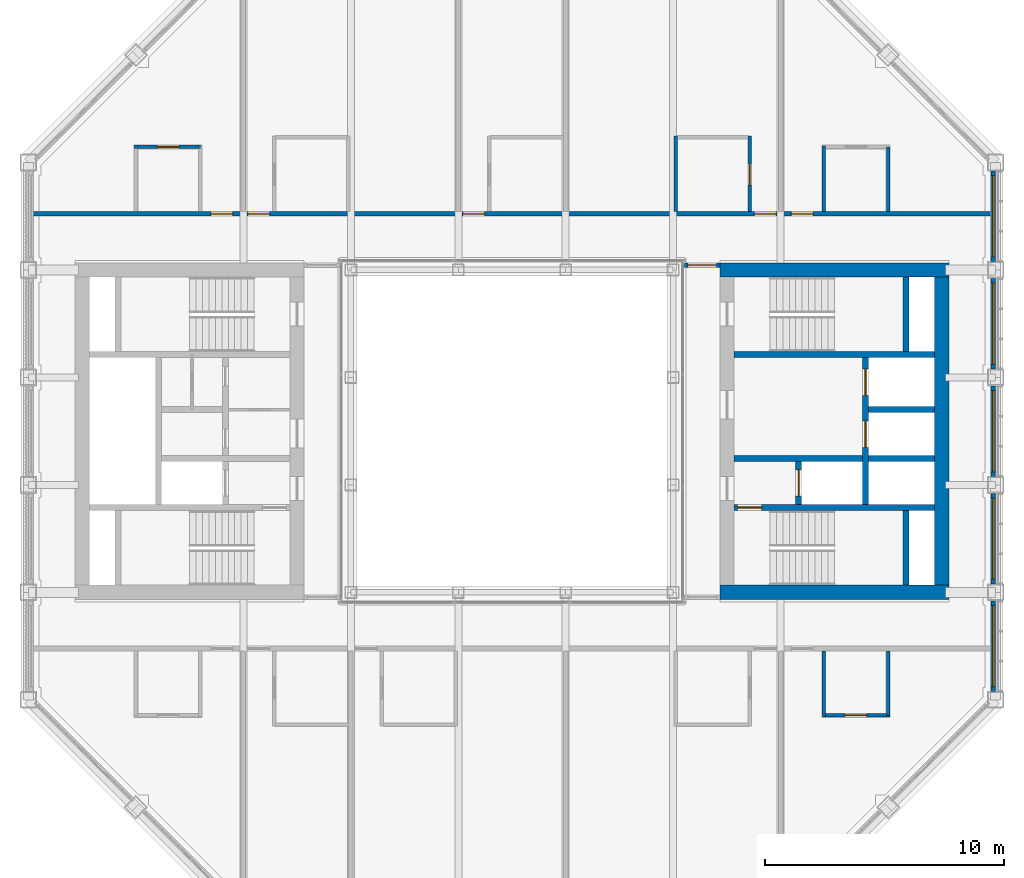
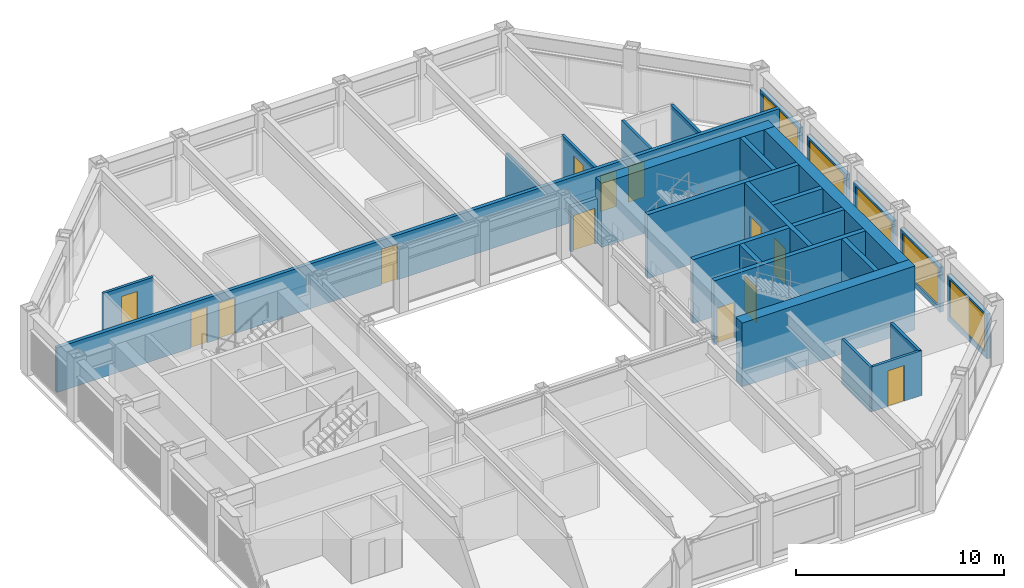
# One storey, part 11 of 16: 27 walls, 13 doors, 5 windows, 18 openings.
"""IFC4 building model written with IfcOpenShell, lengths in metres."""

from ifc_helpers import new_model, si_unit, direction, frame, frame_2d, origin, place, context, subcontext, project, spatial, rectangle, extrude, material, layer, layer_set, type_object, element, fill, save


model = new_model("IFC4")

# Units and contexts
model_context = context("Model", 3, precision=1e-05, world=origin(), true_north=direction((0.0, 1.0)))
body_context = subcontext(model_context, "Body", "Model", "MODEL_VIEW")
ifc_project = project(units=[si_unit("LENGTHUNIT", "METRE"), si_unit("AREAUNIT", "SQUARE_METRE"), si_unit("VOLUMEUNIT", "CUBIC_METRE"), si_unit("PLANEANGLEUNIT", "RADIAN"), si_unit("MASSUNIT", "GRAM", prefix="KILO")], contexts=[model_context])

# Site, building, storey
site_placement = place(None, origin())
site = spatial("IfcSite", under=ifc_project, at=site_placement, CompositionType="ELEMENT")
building_placement = place(site_placement, origin())
building = spatial("IfcBuilding", under=site, at=building_placement, Name="Msasa Ring Tower", CompositionType="ELEMENT")
storey_placement = place(building_placement, frame((0.0, 0.0, 219.550048828125)))
storey = spatial("IfcBuildingStorey", under=building, at=storey_placement, Name="L57", CompositionType="ELEMENT", Elevation=219.550048828125)

# Walls
ifc_material_1 = material(Name="Concrete C60/75", Category="concrete")
ifc_layer_1 = layer(ifc_material_1, 0.60009765625)
ifc_layer_set_1 = layer_set([ifc_layer_1], Name="CW3 CORE WALL 600")
wall_type_1 = type_object("IfcWallType", Name="CW3 CORE WALL 600", PredefinedType="SHEAR", material=ifc_layer_set_1)
for number, where, z_axis, x_axis, name in (
    (1, (8.699951171875, -6.75, 0.0), (0.0, 0.0, 1.0), (1.0, 0.0, 0.0), "E core wall S L57"),
    (2, (8.699951171875, 6.75, 0.0), (0.0, 0.0, 1.0), (1.0, 0.0, 0.0), "E core wall N L57"),
):
    element("IfcWall", number, at=place(storey_placement, frame(where, z_axis=z_axis, x_axis=x_axis)), inside=storey, type_object=wall_type_1, Name=name, PredefinedType="SHEAR", context=body_context, shape_type="SweptSolid", body=[
        extrude(rectangle(XDim=9.60009765625, YDim=0.60009765625, at=frame_2d((4.800048828125, 0.0))), origin(), (0.0, 0.0, 1.0), 3.75),
    ])
wall_1_placement = place(storey_placement, frame((18.0, -6.449951171875, 0.0), z_axis=(0.0, 0.0, 1.0), x_axis=(0.0, 1.0, 0.0)))
element("IfcWall", 3, at=wall_1_placement, inside=storey, type_object=wall_type_1, Name="E core wall E L57", PredefinedType="SHEAR", context=body_context, shape_type="SweptSolid", body=[
    extrude(rectangle(XDim=12.89990234375, YDim=0.60009765625, at=frame_2d((6.449951171875, 0.0))), origin(), (0.0, 0.0, 1.0), 3.75),
])

# Wall, opening, door
ifc_material_2 = material(Name="Concrete C60/75", Category="concrete")
ifc_layer_2 = layer(ifc_material_2, 0.25)
ifc_layer_set_2 = layer_set([ifc_layer_2], Name="CW4 CORE INNER WALL 250")
wall_type_2 = type_object("IfcWallType", Name="CW4 CORE INNER WALL 250", PredefinedType="SHEAR", material=ifc_layer_set_2)
wall_2_placement = place(storey_placement, frame((9.300048828125, -3.199951171875, 0.0), z_axis=(0.0, 0.0, 1.0), x_axis=(1.0, 0.0, 0.0)))
wall_2 = element("IfcWall", 4, at=wall_2_placement, inside=storey, type_object=wall_type_2, Name="E core wall STAIRA L57", PredefinedType="SHEAR", context=body_context, shape_type="SweptSolid", body=[
    extrude(rectangle(XDim=8.39990234375, YDim=0.25, at=frame_2d((4.199951171875, 0.0))), origin(), (0.0, 0.0, 1.0), 3.75),
])
opening_1_placement = place(wall_2_placement, frame((0.14990234375, 0.0, 0.0)))
opening_1 = element("IfcOpeningElement", 5, at=opening_1_placement, cuts=wall_2, Name="Opening SB-024", PredefinedType="OPENING", context=body_context, shape_type="SweptSolid", body=[
    extrude(rectangle(XDim=1.0, YDim=2.10009765625, at=frame_2d((0.5, 1.050048828125))), frame((0.0, 0.135009765625, 0.0), z_axis=(0.0, -1.0, 0.0), x_axis=(1.0, 0.0, 0.0)), (0.0, 0.0, 1.0), 0.27001953125),
])
ifc_material_3 = material(Name="Timber door leaf in a steel frame", Category="steel")
door_type_1 = type_object("IfcDoorType", Name="D6 STAIR DOOR 1000x2100", OperationType="SINGLE_SWING_LEFT", PredefinedType="DOOR", material=ifc_material_3)
door_1_placement = place(opening_1_placement, origin())
door_1 = element("IfcDoor", 6, at=door_1_placement, inside=storey, type_object=door_type_1, Name="Door L57-ESTA", OperationType="SINGLE_SWING_LEFT", OverallHeight=2.10009765625, OverallWidth=1.0, PredefinedType="DOOR", context=body_context, shape_type="SweptSolid", body=[
    extrude(rectangle(XDim=1.0, YDim=2.10009765625, at=frame_2d((0.5, 1.050048828125))), frame((0.0, 0.02490234375, 0.0), z_axis=(0.0, -1.0, 0.0), x_axis=(1.0, 0.0, 0.0)), (0.0, 0.0, 1.0), 0.050048828125),
])
fill(opening_1, door_1)

# Walls
wall_3_placement = place(storey_placement, frame((9.300048828125, 3.199951171875, 0.0), z_axis=(0.0, 0.0, 1.0), x_axis=(1.0, 0.0, 0.0)))
element("IfcWall", 7, at=wall_3_placement, inside=storey, type_object=wall_type_2, Name="E core wall STAIRB L57", PredefinedType="SHEAR", context=body_context, shape_type="SweptSolid", body=[
    extrude(rectangle(XDim=8.39990234375, YDim=0.25, at=frame_2d((4.199951171875, 0.0))), origin(), (0.0, 0.0, 1.0), 3.75),
])
for number, where, z_axis, x_axis, name in (
    (8, (16.5, -6.449951171875, 0.0), (0.0, 0.0, 1.0), (0.0, 1.0, 0.0), "E core wall RISERA L57"),
    (9, (16.5, 3.324951171875, 0.0), (0.0, 0.0, 1.0), (0.0, 1.0, 0.0), "E core wall RISERB L57"),
):
    element("IfcWall", number, at=place(storey_placement, frame(where, z_axis=z_axis, x_axis=x_axis)), inside=storey, type_object=wall_type_2, Name=name, PredefinedType="SHEAR", context=body_context, shape_type="SweptSolid", body=[
        extrude(rectangle(XDim=3.125, YDim=0.25, at=frame_2d((1.5625, 0.0))), origin(), (0.0, 0.0, 1.0), 3.75),
    ])
wall_4_placement = place(storey_placement, frame((9.300048828125, -1.14990234375, 0.0), z_axis=(0.0, 0.0, 1.0), x_axis=(1.0, 0.0, 0.0)))
element("IfcWall", 10, at=wall_4_placement, inside=storey, type_object=wall_type_2, Name="E core wall FFL L57", PredefinedType="SHEAR", context=body_context, shape_type="SweptSolid", body=[
    extrude(rectangle(XDim=5.375, YDim=0.25, at=frame_2d((2.6875, 0.0))), origin(), (0.0, 0.0, 1.0), 3.75),
])

# Wall, opening, door
wall_5_placement = place(storey_placement, frame((12.0, -3.074951171875, 0.0), z_axis=(0.0, 0.0, 1.0), x_axis=(0.0, 1.0, 0.0)))
wall_5 = element("IfcWall", 11, at=wall_5_placement, inside=storey, type_object=wall_type_2, Name="E core wall LOBBY L57", PredefinedType="SHEAR", context=body_context, shape_type="SweptSolid", body=[
    extrude(rectangle(XDim=1.800048828125, YDim=0.25, at=frame_2d((0.89990234375, 0.0))), origin(), (0.0, 0.0, 1.0), 3.75),
])
opening_2_placement = place(wall_5_placement, frame((0.35009765625, 0.0, 0.0)))
opening_2 = element("IfcOpeningElement", 12, at=opening_2_placement, cuts=wall_5, Name="Opening LD1", PredefinedType="OPENING", context=body_context, shape_type="SweptSolid", body=[
    extrude(rectangle(XDim=1.10009765625, YDim=2.10009765625, at=frame_2d((0.550048828125, 1.050048828125))), frame((0.0, 0.135009765625, 0.0), z_axis=(0.0, -1.0, 0.0), x_axis=(1.0, 0.0, 0.0)), (0.0, 0.0, 1.0), 0.27001953125),
])
ifc_material_4 = material(Name="Stainless steel lift landing door", Category="steel")
door_type_2 = type_object("IfcDoorType", Name="LD1 LIFT LANDING DOOR 1100x2100", OperationType="DOUBLE_DOOR_SLIDING", PredefinedType="DOOR", material=ifc_material_4)
door_2_placement = place(opening_2_placement, origin())
door_2 = element("IfcDoor", 13, at=door_2_placement, inside=storey, type_object=door_type_2, Name="Lift landing door FL-E L57", OperationType="DOUBLE_DOOR_SLIDING", OverallHeight=2.10009765625, OverallWidth=1.10009765625, PredefinedType="DOOR", context=body_context, shape_type="SweptSolid", body=[
    extrude(rectangle(XDim=1.10009765625, YDim=2.10009765625, at=frame_2d((0.550048828125, 1.050048828125))), frame((0.0, 0.02490234375, 0.0), z_axis=(0.0, -1.0, 0.0), x_axis=(1.0, 0.0, 0.0)), (0.0, 0.0, 1.0), 0.050048828125),
])
fill(opening_2, door_2)

# Wall, openings, doors
wall_6_placement = place(storey_placement, frame((14.800048828125, -3.074951171875, 0.0), z_axis=(0.0, 0.0, 1.0), x_axis=(0.0, 1.0, 0.0)))
wall_6 = element("IfcWall", 14, at=wall_6_placement, inside=storey, type_object=wall_type_2, Name="E core wall SHAFT L57", PredefinedType="SHEAR", context=body_context, shape_type="SweptSolid", body=[
    extrude(rectangle(XDim=6.14990234375, YDim=0.25, at=frame_2d((3.074951171875, 0.0))), origin(), (0.0, 0.0, 1.0), 3.75),
])
opening_3_placement = place(wall_6_placement, frame((2.39990234375, 0.0, 0.0)))
opening_3 = element("IfcOpeningElement", 15, at=opening_3_placement, cuts=wall_6, Name="Opening LD1", PredefinedType="OPENING", context=body_context, shape_type="SweptSolid", body=[
    extrude(rectangle(XDim=1.10009765625, YDim=2.10009765625, at=frame_2d((0.550048828125, 1.050048828125))), frame((0.0, 0.135009765625, 0.0), z_axis=(0.0, -1.0, 0.0), x_axis=(1.0, 0.0, 0.0)), (0.0, 0.0, 1.0), 0.27001953125),
])
opening_4_placement = place(wall_6_placement, frame((4.574951171875, 0.0, 0.0)))
opening_4 = element("IfcOpeningElement", 16, at=opening_4_placement, cuts=wall_6, Name="Opening LD1", PredefinedType="OPENING", context=body_context, shape_type="SweptSolid", body=[
    extrude(rectangle(XDim=1.10009765625, YDim=2.10009765625, at=frame_2d((0.550048828125, 1.050048828125))), frame((0.0, 0.135009765625, 0.0), z_axis=(0.0, -1.0, 0.0), x_axis=(1.0, 0.0, 0.0)), (0.0, 0.0, 1.0), 0.27001953125),
])
door_3_placement = place(opening_3_placement, origin())
door_3 = element("IfcDoor", 17, at=door_3_placement, inside=storey, type_object=door_type_2, Name="Lift landing door PL-H1 L57", OperationType="DOUBLE_DOOR_SLIDING", OverallHeight=2.10009765625, OverallWidth=1.10009765625, PredefinedType="DOOR", context=body_context, shape_type="SweptSolid", body=[
    extrude(rectangle(XDim=1.10009765625, YDim=2.10009765625, at=frame_2d((0.550048828125, 1.050048828125))), frame((0.0, 0.02490234375, 0.0), z_axis=(0.0, -1.0, 0.0), x_axis=(1.0, 0.0, 0.0)), (0.0, 0.0, 1.0), 0.050048828125),
])
fill(opening_3, door_3)
door_4_placement = place(opening_4_placement, origin())
door_4 = element("IfcDoor", 18, at=door_4_placement, inside=storey, type_object=door_type_2, Name="Lift landing door PL-H2 L57", OperationType="DOUBLE_DOOR_SLIDING", OverallHeight=2.10009765625, OverallWidth=1.10009765625, PredefinedType="DOOR", context=body_context, shape_type="SweptSolid", body=[
    extrude(rectangle(XDim=1.10009765625, YDim=2.10009765625, at=frame_2d((0.550048828125, 1.050048828125))), frame((0.0, 0.02490234375, 0.0), z_axis=(0.0, -1.0, 0.0), x_axis=(1.0, 0.0, 0.0)), (0.0, 0.0, 1.0), 0.050048828125),
])
fill(opening_4, door_4)

# Walls
for number, where, z_axis, x_axis, name in (
    (19, (14.925048828125, -1.14990234375, 0.0), (0.0, 0.0, 1.0), (1.0, 0.0, 0.0), "E core wall HSEP L57"),
    (20, (14.925048828125, 0.89990234375, 0.0), (0.0, 0.0, 1.0), (1.0, 0.0, 0.0), "E core wall HLIFT L57"),
):
    element("IfcWall", number, at=place(storey_placement, frame(where, z_axis=z_axis, x_axis=x_axis)), inside=storey, type_object=wall_type_2, Name=name, PredefinedType="SHEAR", context=body_context, shape_type="SweptSolid", body=[
        extrude(rectangle(XDim=2.77490234375, YDim=0.25, at=frame_2d((1.387451171875, 0.0))), origin(), (0.0, 0.0, 1.0), 3.75),
    ])

# Wall, opening, window
ifc_material_5 = material(Name="Terracotta rainscreen on blockwork", Category="masonry")
ifc_layer_3 = layer(ifc_material_5, 0.199951171875)
ifc_layer_set_3 = layer_set([ifc_layer_3], Name="FW1 TERRACOTTA-LINED INFILL BAY WALL 200")
wall_type_3 = type_object("IfcWallType", Name="FW1 TERRACOTTA-LINED INFILL BAY WALL 200", PredefinedType="SOLIDWALL", material=ifc_layer_set_3)
wall_7_placement = place(storey_placement, frame((20.14990234375, -10.89501953125, 0.0), z_axis=(0.0, 0.0, 1.0), x_axis=(0.0, 1.0, 0.0)))
wall_7 = element("IfcWall", 21, at=wall_7_placement, inside=storey, type_object=wall_type_3, Name="Infill bay wall E L57 07", PredefinedType="SOLIDWALL", context=body_context, shape_type="SweptSolid", body=[
    extrude(rectangle(XDim=3.7900390625, YDim=0.199951171875, at=frame_2d((1.89501953125, 0.0))), origin(), (0.0, 0.0, 1.0), 2.62890625),
])
opening_5_placement = place(wall_7_placement, frame((0.195068359375, 0.0, 0.300048828125)))
opening_5 = element("IfcOpeningElement", 22, at=opening_5_placement, cuts=wall_7, Name="Opening WN3", PredefinedType="OPENING", context=body_context, shape_type="SweptSolid", body=[
    extrude(rectangle(XDim=3.39990234375, YDim=2.178955078125, at=frame_2d((1.699951171875, 1.08935546875))), frame((0.0, 0.10986328125, 0.0), z_axis=(0.0, -1.0, 0.0), x_axis=(1.0, 0.0, 0.0)), (0.0, 0.0, 1.0), 0.219970703125),
])
ifc_material_6 = material(Name="Aluminium frame with clear glass", Category="aluminium")
window_type = type_object("IfcWindowType", Name="WN3 SUITE WINDOW 3400x2179", PartitioningType="SINGLE_PANEL", PredefinedType="WINDOW", material=ifc_material_6)
window_1_placement = place(opening_5_placement, origin())
window_1 = element("IfcWindow", 23, at=window_1_placement, inside=storey, type_object=window_type, Name="Window E L57 07", OverallHeight=2.178955078125, OverallWidth=3.39990234375, PartitioningType="SINGLE_PANEL", PredefinedType="WINDOW", context=body_context, shape_type="SweptSolid", body=[
    extrude(rectangle(XDim=3.39990234375, YDim=2.178955078125, at=frame_2d((1.699951171875, 1.08935546875))), frame((0.0, 0.030029296875, 0.0), z_axis=(0.0, -1.0, 0.0), x_axis=(1.0, 0.0, 0.0)), (0.0, 0.0, 1.0), 0.06005859375),
])
fill(opening_5, window_1)

wall_8_placement = place(storey_placement, frame((20.14990234375, -6.39501953125, 0.0), z_axis=(0.0, 0.0, 1.0), x_axis=(0.0, 1.0, 0.0)))
wall_8 = element("IfcWall", 24, at=wall_8_placement, inside=storey, type_object=wall_type_3, Name="Infill bay wall E L57 08", PredefinedType="SOLIDWALL", context=body_context, shape_type="SweptSolid", body=[
    extrude(rectangle(XDim=3.7900390625, YDim=0.199951171875, at=frame_2d((1.89501953125, 0.0))), origin(), (0.0, 0.0, 1.0), 2.62890625),
])
opening_6_placement = place(wall_8_placement, frame((0.195068359375, 0.0, 0.300048828125)))
opening_6 = element("IfcOpeningElement", 25, at=opening_6_placement, cuts=wall_8, Name="Opening WN3", PredefinedType="OPENING", context=body_context, shape_type="SweptSolid", body=[
    extrude(rectangle(XDim=3.39990234375, YDim=2.178955078125, at=frame_2d((1.699951171875, 1.08935546875))), frame((0.0, 0.10986328125, 0.0), z_axis=(0.0, -1.0, 0.0), x_axis=(1.0, 0.0, 0.0)), (0.0, 0.0, 1.0), 0.219970703125),
])
window_2_placement = place(opening_6_placement, origin())
window_2 = element("IfcWindow", 26, at=window_2_placement, inside=storey, type_object=window_type, Name="Window E L57 08", OverallHeight=2.178955078125, OverallWidth=3.39990234375, PartitioningType="SINGLE_PANEL", PredefinedType="WINDOW", context=body_context, shape_type="SweptSolid", body=[
    extrude(rectangle(XDim=3.39990234375, YDim=2.178955078125, at=frame_2d((1.699951171875, 1.08935546875))), frame((0.0, 0.030029296875, 0.0), z_axis=(0.0, -1.0, 0.0), x_axis=(1.0, 0.0, 0.0)), (0.0, 0.0, 1.0), 0.06005859375),
])
fill(opening_6, window_2)

wall_9_placement = place(storey_placement, frame((20.14990234375, -1.89501953125, 0.0), z_axis=(0.0, 0.0, 1.0), x_axis=(0.0, 1.0, 0.0)))
wall_9 = element("IfcWall", 27, at=wall_9_placement, inside=storey, type_object=wall_type_3, Name="Infill bay wall E L57 09", PredefinedType="SOLIDWALL", context=body_context, shape_type="SweptSolid", body=[
    extrude(rectangle(XDim=3.7900390625, YDim=0.199951171875, at=frame_2d((1.89501953125, 0.0))), origin(), (0.0, 0.0, 1.0), 2.62890625),
])
opening_7_placement = place(wall_9_placement, frame((0.195068359375, 0.0, 0.300048828125)))
opening_7 = element("IfcOpeningElement", 28, at=opening_7_placement, cuts=wall_9, Name="Opening WN3", PredefinedType="OPENING", context=body_context, shape_type="SweptSolid", body=[
    extrude(rectangle(XDim=3.39990234375, YDim=2.178955078125, at=frame_2d((1.699951171875, 1.08935546875))), frame((0.0, 0.10986328125, 0.0), z_axis=(0.0, -1.0, 0.0), x_axis=(1.0, 0.0, 0.0)), (0.0, 0.0, 1.0), 0.219970703125),
])
window_3_placement = place(opening_7_placement, origin())
window_3 = element("IfcWindow", 29, at=window_3_placement, inside=storey, type_object=window_type, Name="Window E L57 09", OverallHeight=2.178955078125, OverallWidth=3.39990234375, PartitioningType="SINGLE_PANEL", PredefinedType="WINDOW", context=body_context, shape_type="SweptSolid", body=[
    extrude(rectangle(XDim=3.39990234375, YDim=2.178955078125, at=frame_2d((1.699951171875, 1.08935546875))), frame((0.0, 0.030029296875, 0.0), z_axis=(0.0, -1.0, 0.0), x_axis=(1.0, 0.0, 0.0)), (0.0, 0.0, 1.0), 0.06005859375),
])
fill(opening_7, window_3)

wall_10_placement = place(storey_placement, frame((20.14990234375, 2.60498046875, 0.0), z_axis=(0.0, 0.0, 1.0), x_axis=(0.0, 1.0, 0.0)))
wall_10 = element("IfcWall", 30, at=wall_10_placement, inside=storey, type_object=wall_type_3, Name="Infill bay wall E L57 10", PredefinedType="SOLIDWALL", context=body_context, shape_type="SweptSolid", body=[
    extrude(rectangle(XDim=3.7900390625, YDim=0.199951171875, at=frame_2d((1.89501953125, 0.0))), origin(), (0.0, 0.0, 1.0), 2.62890625),
])
opening_8_placement = place(wall_10_placement, frame((0.195068359375, 0.0, 0.300048828125)))
opening_8 = element("IfcOpeningElement", 31, at=opening_8_placement, cuts=wall_10, Name="Opening WN3", PredefinedType="OPENING", context=body_context, shape_type="SweptSolid", body=[
    extrude(rectangle(XDim=3.39990234375, YDim=2.178955078125, at=frame_2d((1.699951171875, 1.08935546875))), frame((0.0, 0.10986328125, 0.0), z_axis=(0.0, -1.0, 0.0), x_axis=(1.0, 0.0, 0.0)), (0.0, 0.0, 1.0), 0.219970703125),
])
window_4_placement = place(opening_8_placement, origin())
window_4 = element("IfcWindow", 32, at=window_4_placement, inside=storey, type_object=window_type, Name="Window E L57 10", OverallHeight=2.178955078125, OverallWidth=3.39990234375, PartitioningType="SINGLE_PANEL", PredefinedType="WINDOW", context=body_context, shape_type="SweptSolid", body=[
    extrude(rectangle(XDim=3.39990234375, YDim=2.178955078125, at=frame_2d((1.699951171875, 1.08935546875))), frame((0.0, 0.030029296875, 0.0), z_axis=(0.0, -1.0, 0.0), x_axis=(1.0, 0.0, 0.0)), (0.0, 0.0, 1.0), 0.06005859375),
])
fill(opening_8, window_4)

wall_11_placement = place(storey_placement, frame((20.14990234375, 7.10498046875, 0.0), z_axis=(0.0, 0.0, 1.0), x_axis=(0.0, 1.0, 0.0)))
wall_11 = element("IfcWall", 33, at=wall_11_placement, inside=storey, type_object=wall_type_3, Name="Infill bay wall E L57 11", PredefinedType="SOLIDWALL", context=body_context, shape_type="SweptSolid", body=[
    extrude(rectangle(XDim=3.7900390625, YDim=0.199951171875, at=frame_2d((1.89501953125, 0.0))), origin(), (0.0, 0.0, 1.0), 2.62890625),
])
opening_9_placement = place(wall_11_placement, frame((0.195068359375, 0.0, 0.300048828125)))
opening_9 = element("IfcOpeningElement", 34, at=opening_9_placement, cuts=wall_11, Name="Opening WN3", PredefinedType="OPENING", context=body_context, shape_type="SweptSolid", body=[
    extrude(rectangle(XDim=3.39990234375, YDim=2.178955078125, at=frame_2d((1.699951171875, 1.08935546875))), frame((0.0, 0.10986328125, 0.0), z_axis=(0.0, -1.0, 0.0), x_axis=(1.0, 0.0, 0.0)), (0.0, 0.0, 1.0), 0.219970703125),
])
window_5_placement = place(opening_9_placement, origin())
window_5 = element("IfcWindow", 35, at=window_5_placement, inside=storey, type_object=window_type, Name="Window E L57 11", OverallHeight=2.178955078125, OverallWidth=3.39990234375, PartitioningType="SINGLE_PANEL", PredefinedType="WINDOW", context=body_context, shape_type="SweptSolid", body=[
    extrude(rectangle(XDim=3.39990234375, YDim=2.178955078125, at=frame_2d((1.699951171875, 1.08935546875))), frame((0.0, 0.030029296875, 0.0), z_axis=(0.0, -1.0, 0.0), x_axis=(1.0, 0.0, 0.0)), (0.0, 0.0, 1.0), 0.06005859375),
])
fill(opening_9, window_5)

# Wall, opening, door
ifc_material_7 = material(Name="Concrete blockwork", Category="masonry")
ifc_layer_4 = layer(ifc_material_7, 0.199951171875)
ifc_layer_set_4 = layer_set([ifc_layer_4], Name="PT1 CORRIDOR WALL 200")
wall_type_4 = type_object("IfcWallType", Name="PT1 CORRIDOR WALL 200", PredefinedType="PARTITIONING", material=ifc_layer_set_4)
wall_12_placement = place(storey_placement, frame((7.22998046875, 6.949951171875, 0.0), z_axis=(0.0, 0.0, 1.0), x_axis=(1.0, 0.0, 0.0)))
wall_12 = element("IfcWall", 36, at=wall_12_placement, inside=storey, type_object=wall_type_4, Name="Corridor wall L57-SDEN", PredefinedType="PARTITIONING", context=body_context, shape_type="SweptSolid", body=[
    extrude(rectangle(XDim=1.469970703125, YDim=0.199951171875, at=frame_2d((0.73486328125, 0.0))), origin(), (0.0, 0.0, 1.0), 2.62890625),
])
opening_10_placement = place(wall_12_placement, frame((0.135009765625, 0.0, 0.0)))
opening_10 = element("IfcOpeningElement", 37, at=opening_10_placement, cuts=wall_12, Name="Opening SB-012", PredefinedType="OPENING", context=body_context, shape_type="SweptSolid", body=[
    extrude(rectangle(XDim=1.199951171875, YDim=2.10009765625, at=frame_2d((0.60009765625, 1.050048828125))), frame((0.0, 0.10986328125, 0.0), z_axis=(0.0, -1.0, 0.0), x_axis=(1.0, 0.0, 0.0)), (0.0, 0.0, 1.0), 0.219970703125),
])
ifc_material_8 = material(Name="Timber door leaf in a steel frame", Category="steel")
door_type_3 = type_object("IfcDoorType", Name="D25 CORRIDOR PAIR OF SMOKE DOORS 1200x2100", OperationType="DOUBLE_DOOR_DOUBLE_SWING", PredefinedType="DOOR", material=ifc_material_8)
door_5_placement = place(opening_10_placement, origin())
door_5 = element("IfcDoor", 38, at=door_5_placement, inside=storey, type_object=door_type_3, Name="Door L57-SDEN", OperationType="DOUBLE_DOOR_DOUBLE_SWING", OverallHeight=2.10009765625, OverallWidth=1.199951171875, PredefinedType="DOOR", context=body_context, shape_type="SweptSolid", body=[
    extrude(rectangle(XDim=1.199951171875, YDim=2.10009765625, at=frame_2d((0.60009765625, 1.050048828125))), frame((0.0, 0.02490234375, 0.0), z_axis=(0.0, -1.0, 0.0), x_axis=(1.0, 0.0, 0.0)), (0.0, 0.0, 1.0), 0.050048828125),
])
fill(opening_10, door_5)

# Wall, openings, doors
wall_13_placement = place(storey_placement, frame((-20.050048828125, 9.10009765625, 0.0), z_axis=(0.0, 0.0, 1.0), x_axis=(1.0, 0.0, 0.0)))
wall_13 = element("IfcWall", 39, at=wall_13_placement, inside=storey, type_object=wall_type_4, Name="Corridor wall L57-CORRN0", PredefinedType="PARTITIONING", context=body_context, shape_type="SweptSolid", body=[
    extrude(rectangle(XDim=40.10009765625, YDim=0.199951171875, at=frame_2d((20.050048828125, 0.0))), origin(), (0.0, 0.0, 1.0), 2.62890625),
])
opening_11_placement = place(wall_13_placement, frame((9.0, 0.0, 0.0)))
opening_11 = element("IfcOpeningElement", 40, at=opening_11_placement, cuts=wall_13, Name="Opening SB-007", PredefinedType="OPENING", context=body_context, shape_type="SweptSolid", body=[
    extrude(rectangle(XDim=0.89990234375, YDim=2.10009765625, at=frame_2d((0.449951171875, 1.050048828125))), frame((0.0, 0.10986328125, 0.0), z_axis=(0.0, -1.0, 0.0), x_axis=(1.0, 0.0, 0.0)), (0.0, 0.0, 1.0), 0.219970703125),
])
opening_12_placement = place(wall_13_placement, frame((18.0, 0.0, 0.0)))
opening_12 = element("IfcOpeningElement", 41, at=opening_12_placement, cuts=wall_13, Name="Opening SB-008", PredefinedType="OPENING", context=body_context, shape_type="SweptSolid", body=[
    extrude(rectangle(XDim=0.89990234375, YDim=2.10009765625, at=frame_2d((0.449951171875, 1.050048828125))), frame((0.0, 0.10986328125, 0.0), z_axis=(0.0, -1.0, 0.0), x_axis=(1.0, 0.0, 0.0)), (0.0, 0.0, 1.0), 0.219970703125),
])
opening_13_placement = place(wall_13_placement, frame((30.199951171875, 0.0, 0.0)))
opening_13 = element("IfcOpeningElement", 42, at=opening_13_placement, cuts=wall_13, Name="Opening SB-009", PredefinedType="OPENING", context=body_context, shape_type="SweptSolid", body=[
    extrude(rectangle(XDim=0.89990234375, YDim=2.10009765625, at=frame_2d((0.449951171875, 1.050048828125))), frame((0.0, 0.10986328125, 0.0), z_axis=(0.0, -1.0, 0.0), x_axis=(1.0, 0.0, 0.0)), (0.0, 0.0, 1.0), 0.219970703125),
])
opening_14_placement = place(wall_13_placement, frame((31.75, 0.0, 0.0)))
opening_14 = element("IfcOpeningElement", 43, at=opening_14_placement, cuts=wall_13, Name="Opening SB-010", PredefinedType="OPENING", context=body_context, shape_type="SweptSolid", body=[
    extrude(rectangle(XDim=0.89990234375, YDim=2.10009765625, at=frame_2d((0.449951171875, 1.050048828125))), frame((0.0, 0.10986328125, 0.0), z_axis=(0.0, -1.0, 0.0), x_axis=(1.0, 0.0, 0.0)), (0.0, 0.0, 1.0), 0.219970703125),
])
opening_15_placement = place(wall_13_placement, frame((7.449951171875, 0.0, 0.0)))
opening_15 = element("IfcOpeningElement", 44, at=opening_15_placement, cuts=wall_13, Name="Opening SB-006", PredefinedType="OPENING", context=body_context, shape_type="SweptSolid", body=[
    extrude(rectangle(XDim=0.89990234375, YDim=2.10009765625, at=frame_2d((0.449951171875, 1.050048828125))), frame((0.0, 0.10986328125, 0.0), z_axis=(0.0, -1.0, 0.0), x_axis=(1.0, 0.0, 0.0)), (0.0, 0.0, 1.0), 0.219970703125),
])
ifc_material_9 = material(Name="Timber door leaf in a steel frame", Category="steel")
door_type_4 = type_object("IfcDoorType", Name="D1 SINGLE DOOR TO CORRIDOR 900x2100", OperationType="SINGLE_SWING_LEFT", PredefinedType="DOOR", material=ifc_material_9)
door_6_placement = place(opening_11_placement, origin())
door_6 = element("IfcDoor", 45, at=door_6_placement, inside=storey, type_object=door_type_4, Name="Door L57-JN00", OperationType="SINGLE_SWING_LEFT", OverallHeight=2.10009765625, OverallWidth=0.89990234375, PredefinedType="DOOR", context=body_context, shape_type="SweptSolid", body=[
    extrude(rectangle(XDim=0.89990234375, YDim=2.10009765625, at=frame_2d((0.449951171875, 1.050048828125))), frame((0.0, 0.02490234375, 0.0), z_axis=(0.0, -1.0, 0.0), x_axis=(1.0, 0.0, 0.0)), (0.0, 0.0, 1.0), 0.050048828125),
])
fill(opening_11, door_6)
door_7_placement = place(opening_12_placement, origin())
door_7 = element("IfcDoor", 46, at=door_7_placement, inside=storey, type_object=door_type_4, Name="Door L57-JN01", OperationType="SINGLE_SWING_LEFT", OverallHeight=2.10009765625, OverallWidth=0.89990234375, PredefinedType="DOOR", context=body_context, shape_type="SweptSolid", body=[
    extrude(rectangle(XDim=0.89990234375, YDim=2.10009765625, at=frame_2d((0.449951171875, 1.050048828125))), frame((0.0, 0.02490234375, 0.0), z_axis=(0.0, -1.0, 0.0), x_axis=(1.0, 0.0, 0.0)), (0.0, 0.0, 1.0), 0.050048828125),
])
fill(opening_12, door_7)
door_8_placement = place(opening_13_placement, origin())
door_8 = element("IfcDoor", 47, at=door_8_placement, inside=storey, type_object=door_type_4, Name="Door L57-JN02", OperationType="SINGLE_SWING_RIGHT", OverallHeight=2.10009765625, OverallWidth=0.89990234375, PredefinedType="DOOR", context=body_context, shape_type="SweptSolid", body=[
    extrude(rectangle(XDim=0.89990234375, YDim=2.10009765625, at=frame_2d((0.449951171875, 1.050048828125))), frame((0.0, 0.02490234375, 0.0), z_axis=(0.0, -1.0, 0.0), x_axis=(1.0, 0.0, 0.0)), (0.0, 0.0, 1.0), 0.050048828125),
])
fill(opening_13, door_8)
ifc_material_10 = material(Name="Timber door leaf in a steel frame", Category="steel")
door_type_5 = type_object("IfcDoorType", Name="D2 ENTRANCE DOOR 900x2100", OperationType="SINGLE_SWING_LEFT", PredefinedType="DOOR", material=ifc_material_10)
door_9_placement = place(opening_14_placement, origin())
door_9 = element("IfcDoor", 48, at=door_9_placement, inside=storey, type_object=door_type_5, Name="Door L57-CSNE", OperationType="SINGLE_SWING_RIGHT", OverallHeight=2.10009765625, OverallWidth=0.89990234375, PredefinedType="DOOR", context=body_context, shape_type="SweptSolid", body=[
    extrude(rectangle(XDim=0.89990234375, YDim=2.10009765625, at=frame_2d((0.449951171875, 1.050048828125))), frame((0.0, 0.02490234375, 0.0), z_axis=(0.0, -1.0, 0.0), x_axis=(1.0, 0.0, 0.0)), (0.0, 0.0, 1.0), 0.050048828125),
])
fill(opening_14, door_9)
door_10_placement = place(opening_15_placement, origin())
door_10 = element("IfcDoor", 49, at=door_10_placement, inside=storey, type_object=door_type_5, Name="Door L57-CSNW", OperationType="SINGLE_SWING_LEFT", OverallHeight=2.10009765625, OverallWidth=0.89990234375, PredefinedType="DOOR", context=body_context, shape_type="SweptSolid", body=[
    extrude(rectangle(XDim=0.89990234375, YDim=2.10009765625, at=frame_2d((0.449951171875, 1.050048828125))), frame((0.0, 0.02490234375, 0.0), z_axis=(0.0, -1.0, 0.0), x_axis=(1.0, 0.0, 0.0)), (0.0, 0.0, 1.0), 0.050048828125),
])
fill(opening_15, door_10)

# Wall, opening, door
ifc_material_11 = material(Name="Moisture-resistant board on steel studs with a concealed cistern and pipe void, tiled", Category="steel")
ifc_layer_5 = layer(ifc_material_11, 0.14990234375)
ifc_layer_set_5 = layer_set([ifc_layer_5], Name="PT4 BATHROOM WET WALL 150")
wall_type_5 = type_object("IfcWallType", Name="PT4 BATHROOM WET WALL 150", PredefinedType="PARTITIONING", material=ifc_layer_set_5)
wall_14_placement = place(storey_placement, frame((9.949951171875, 9.199951171875, 0.0), z_axis=(0.0, 0.0, 1.0), x_axis=(0.0, 1.0, 0.0)))
wall_14 = element("IfcWall", 50, at=wall_14_placement, inside=storey, type_object=wall_type_5, Name="Partition L57-JN02BX", PredefinedType="PARTITIONING", context=body_context, shape_type="SweptSolid", body=[
    extrude(rectangle(XDim=3.150146484375, YDim=0.14990234375, at=frame_2d((1.5751953125, 0.0))), origin(), (0.0, 0.0, 1.0), 2.62890625),
])
opening_16_placement = place(wall_14_placement, frame((1.10009765625, 0.0, 0.0)))
opening_16 = element("IfcOpeningElement", 51, at=opening_16_placement, cuts=wall_14, Name="Opening SB-005", PredefinedType="OPENING", context=body_context, shape_type="SweptSolid", body=[
    extrude(rectangle(XDim=0.89990234375, YDim=2.10009765625, at=frame_2d((0.449951171875, 1.050048828125))), frame((0.0, 0.0849609375, 0.0), z_axis=(0.0, -1.0, 0.0), x_axis=(1.0, 0.0, 0.0)), (0.0, 0.0, 1.0), 0.169921875),
])
ifc_material_12 = material(Name="Timber door leaf in a steel frame", Category="steel")
door_type_6 = type_object("IfcDoorType", Name="D3 BATHROOM DOOR 900x2100", OperationType="SINGLE_SWING_LEFT", PredefinedType="DOOR", material=ifc_material_12)
door_11_placement = place(opening_16_placement, origin())
door_11 = element("IfcDoor", 52, at=door_11_placement, inside=storey, type_object=door_type_6, Name="Door L57-JN02B", OperationType="SINGLE_SWING_LEFT", OverallHeight=2.10009765625, OverallWidth=0.89990234375, PredefinedType="DOOR", context=body_context, shape_type="SweptSolid", body=[
    extrude(rectangle(XDim=0.89990234375, YDim=2.10009765625, at=frame_2d((0.449951171875, 1.050048828125))), frame((0.0, 0.02490234375, 0.0), z_axis=(0.0, -1.0, 0.0), x_axis=(1.0, 0.0, 0.0)), (0.0, 0.0, 1.0), 0.050048828125),
])
fill(opening_16, door_11)

# Walls
wall_15_placement = place(storey_placement, frame((6.85009765625, 9.199951171875, 0.0), z_axis=(0.0, 0.0, 1.0), x_axis=(0.0, 1.0, 0.0)))
element("IfcWall", 53, at=wall_15_placement, inside=storey, type_object=wall_type_5, Name="Partition L57-JN02BF", PredefinedType="PARTITIONING", context=body_context, shape_type="SweptSolid", body=[
    extrude(rectangle(XDim=3.150146484375, YDim=0.14990234375, at=frame_2d((1.5751953125, 0.0))), origin(), (0.0, 0.0, 1.0), 2.62890625),
])
wall_16_placement = place(storey_placement, frame((13.050048828125, 9.199951171875, 0.0), z_axis=(0.0, 0.0, 1.0), x_axis=(0.0, 1.0, 0.0)))
element("IfcWall", 54, at=wall_16_placement, inside=storey, type_object=wall_type_5, Name="Partition L57-CSNEBX", PredefinedType="PARTITIONING", context=body_context, shape_type="SweptSolid", body=[
    extrude(rectangle(XDim=2.75, YDim=0.14990234375, at=frame_2d((1.375, 0.0))), origin(), (0.0, 0.0, 1.0), 2.62890625),
])
wall_17_placement = place(storey_placement, frame((15.75, 9.199951171875, 0.0), z_axis=(0.0, 0.0, 1.0), x_axis=(0.0, 1.0, 0.0)))
element("IfcWall", 55, at=wall_17_placement, inside=storey, type_object=wall_type_5, Name="Partition L57-CSNEBE", PredefinedType="PARTITIONING", context=body_context, shape_type="SweptSolid", body=[
    extrude(rectangle(XDim=2.699951171875, YDim=0.14990234375, at=frame_2d((1.35009765625, 0.0))), origin(), (0.0, 0.0, 1.0), 2.62890625),
])

# Wall, opening, door
wall_18_placement = place(storey_placement, frame((-15.824951171875, 11.89990234375, 0.0), z_axis=(0.0, 0.0, 1.0), x_axis=(1.0, 0.0, 0.0)))
wall_18 = element("IfcWall", 56, at=wall_18_placement, inside=storey, type_object=wall_type_5, Name="Partition L57-CSNWBY", PredefinedType="PARTITIONING", context=body_context, shape_type="SweptSolid", body=[
    extrude(rectangle(XDim=2.77490234375, YDim=0.14990234375, at=frame_2d((1.387451171875, 0.0))), origin(), (0.0, 0.0, 1.0), 2.62890625),
])
opening_17_placement = place(wall_18_placement, frame((0.97509765625, 0.0, 0.0)))
opening_17 = element("IfcOpeningElement", 57, at=opening_17_placement, cuts=wall_18, Name="Opening SB-001", PredefinedType="OPENING", context=body_context, shape_type="SweptSolid", body=[
    extrude(rectangle(XDim=0.89990234375, YDim=2.10009765625, at=frame_2d((0.449951171875, 1.050048828125))), frame((0.0, 0.0849609375, 0.0), z_axis=(0.0, -1.0, 0.0), x_axis=(1.0, 0.0, 0.0)), (0.0, 0.0, 1.0), 0.169921875),
])
door_12_placement = place(opening_17_placement, origin())
door_12 = element("IfcDoor", 58, at=door_12_placement, inside=storey, type_object=door_type_6, Name="Door L57-CSNWB1", OperationType="SINGLE_SWING_RIGHT", OverallHeight=2.10009765625, OverallWidth=0.89990234375, PredefinedType="DOOR", context=body_context, shape_type="SweptSolid", body=[
    extrude(rectangle(XDim=0.89990234375, YDim=2.10009765625, at=frame_2d((0.449951171875, 1.050048828125))), frame((0.0, 0.02490234375, 0.0), z_axis=(0.0, -1.0, 0.0), x_axis=(1.0, 0.0, 0.0)), (0.0, 0.0, 1.0), 0.050048828125),
])
fill(opening_17, door_12)

# Wall
wall_19_placement = place(storey_placement, frame((13.050048828125, -11.949951171875, 0.0), z_axis=(0.0, 0.0, 1.0), x_axis=(0.0, 1.0, 0.0)))
element("IfcWall", 59, at=wall_19_placement, inside=storey, type_object=wall_type_5, Name="Partition L57-CSSEBX", PredefinedType="PARTITIONING", context=body_context, shape_type="SweptSolid", body=[
    extrude(rectangle(XDim=2.75, YDim=0.14990234375, at=frame_2d((1.375, 0.0))), origin(), (0.0, 0.0, 1.0), 2.62890625),
])

# Wall, opening, door
wall_20_placement = place(storey_placement, frame((13.050048828125, -11.89990234375, 0.0), z_axis=(0.0, 0.0, 1.0), x_axis=(1.0, 0.0, 0.0)))
wall_20 = element("IfcWall", 60, at=wall_20_placement, inside=storey, type_object=wall_type_5, Name="Partition L57-CSSEBY", PredefinedType="PARTITIONING", context=body_context, shape_type="SweptSolid", body=[
    extrude(rectangle(XDim=2.77490234375, YDim=0.14990234375, at=frame_2d((1.387451171875, 0.0))), origin(), (0.0, 0.0, 1.0), 2.62890625),
])
opening_18_placement = place(wall_20_placement, frame((0.89990234375, 0.0, 0.0)))
opening_18 = element("IfcOpeningElement", 61, at=opening_18_placement, cuts=wall_20, Name="Opening SB-036", PredefinedType="OPENING", context=body_context, shape_type="SweptSolid", body=[
    extrude(rectangle(XDim=0.89990234375, YDim=2.10009765625, at=frame_2d((0.449951171875, 1.050048828125))), frame((0.0, 0.0849609375, 0.0), z_axis=(0.0, -1.0, 0.0), x_axis=(1.0, 0.0, 0.0)), (0.0, 0.0, 1.0), 0.169921875),
])
door_13_placement = place(opening_18_placement, origin())
door_13 = element("IfcDoor", 62, at=door_13_placement, inside=storey, type_object=door_type_6, Name="Door L57-CSSEB1", OperationType="SINGLE_SWING_LEFT", OverallHeight=2.10009765625, OverallWidth=0.89990234375, PredefinedType="DOOR", context=body_context, shape_type="SweptSolid", body=[
    extrude(rectangle(XDim=0.89990234375, YDim=2.10009765625, at=frame_2d((0.449951171875, 1.050048828125))), frame((0.0, 0.02490234375, 0.0), z_axis=(0.0, -1.0, 0.0), x_axis=(1.0, 0.0, 0.0)), (0.0, 0.0, 1.0), 0.050048828125),
])
fill(opening_18, door_13)

# Wall
wall_21_placement = place(storey_placement, frame((15.75, -11.89990234375, 0.0), z_axis=(0.0, 0.0, 1.0), x_axis=(0.0, 1.0, 0.0)))
element("IfcWall", 63, at=wall_21_placement, inside=storey, type_object=wall_type_5, Name="Partition L57-CSSEBE", PredefinedType="PARTITIONING", context=body_context, shape_type="SweptSolid", body=[
    extrude(rectangle(XDim=2.699951171875, YDim=0.14990234375, at=frame_2d((1.35009765625, 0.0))), origin(), (0.0, 0.0, 1.0), 2.62890625),
])

save(model, "model.ifc")
